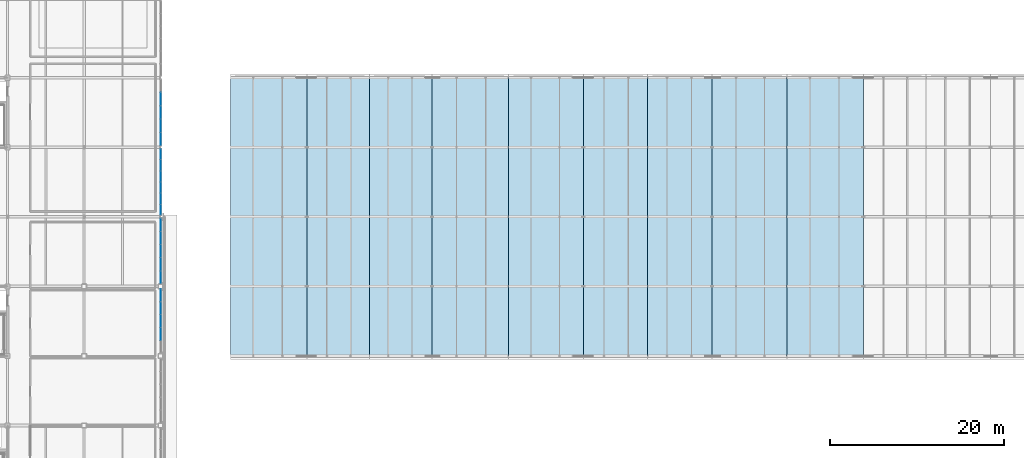
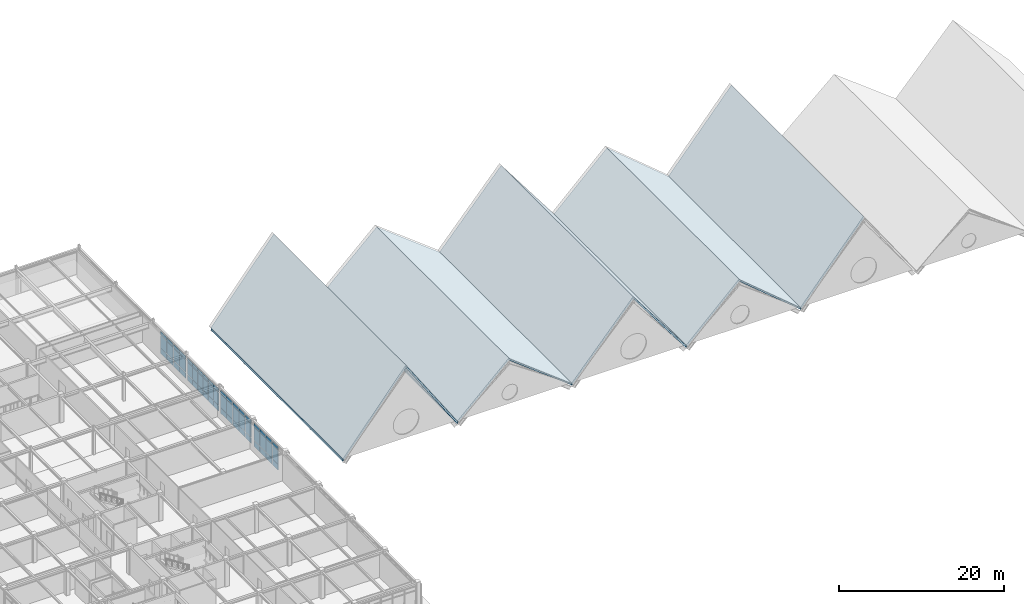
# One storey, part 30 of 64: 57 plates, 9 slabs, 4 elements without a shape of their own.
"""IFC4 building model written with IfcOpenShell, lengths in metres."""

from ifc_helpers import new_model, si_unit, direction, frame, origin, origin_2d, place, context, subcontext, project, spatial, polyline, rectangle, outline, extrude, material, layer, layer_set, type_object, element, aggregate, save


model = new_model("IFC4")

# Units and contexts
model_context = context("Model", 3, precision=1e-05, world=origin(), true_north=direction((0.0, 1.0)))
body_context = subcontext(model_context, "Body", "Model", "MODEL_VIEW")
ifc_project = project(units=[si_unit("LENGTHUNIT", "METRE"), si_unit("AREAUNIT", "SQUARE_METRE"), si_unit("VOLUMEUNIT", "CUBIC_METRE"), si_unit("PLANEANGLEUNIT", "RADIAN"), si_unit("MASSUNIT", "GRAM", prefix="KILO")], contexts=[model_context])

# Site, building, storey
site_placement = place(None, origin())
site = spatial("IfcSite", under=ifc_project, at=site_placement, CompositionType="ELEMENT")
building_placement = place(site_placement, origin())
building = spatial("IfcBuilding", under=site, at=building_placement, Name="Zhaolan Boulevard Law Courts", CompositionType="ELEMENT")
storey_placement = place(building_placement, frame((0.0, 0.0, 20.39990234375)))
storey = spatial("IfcBuildingStorey", under=building, at=storey_placement, Name="L04", CompositionType="ELEMENT", Elevation=20.39990234375)

# Curtain wall, plates
ifc_material_1 = material(Name="Thermally broken aluminium and low-E glazing", Category="aluminium")
curtain_wall_type_1 = type_object("IfcCurtainWallType", Name="CURTAIN WALL M15", PredefinedType="USERDEFINED", material=ifc_material_1)
curtain_wall_1_placement = place(storey_placement, origin())
curtain_wall_1 = element("IfcCurtainWall", 1, at=curtain_wall_1_placement, inside=storey, type_object=curtain_wall_type_1, Name="Curtain Wall CW-L04-135", ObjectType="CURTAIN WALL", PredefinedType="USERDEFINED")
ifc_material_2 = material(Name="Triple-silver low-E insulated glazing", Category="glass")
ifc_layer_1 = layer(ifc_material_2, 0.028076171875)
ifc_layer_set_1 = layer_set([ifc_layer_1])
plate_type = type_object("IfcPlateType", Name="CWPANEL LOW E28", PredefinedType="CURTAIN_PANEL", material=ifc_layer_set_1)
plate_1_placement = place(storey_placement, frame((44.0, 78.8095703125, 0.06494140625), z_axis=(0.0, 0.0, 1.0), x_axis=(0.0, 1.0, 0.0)))
plate_1 = element("IfcPlate", 2, at=plate_1_placement, type_object=plate_type, Name="CW-L04-135 panel 1.1", PredefinedType="CURTAIN_PANEL", context=body_context, shape_type="SweptSolid", body=[
    extrude(rectangle(XDim=1.18505859375, YDim=0.028076171875, at=origin_2d()), origin(), (0.0, 0.0, 1.0), 0.802490234375),
])
plate_2_placement = place(storey_placement, frame((44.0, 78.8095703125, 0.9326171875), z_axis=(0.0, 0.0, 1.0), x_axis=(0.0, 1.0, 0.0)))
plate_2 = element("IfcPlate", 3, at=plate_2_placement, type_object=plate_type, Name="CW-L04-135 panel 1.2", PredefinedType="CURTAIN_PANEL", context=body_context, shape_type="SweptSolid", body=[
    extrude(rectangle(XDim=1.18505859375, YDim=0.028076171875, at=origin_2d()), origin(), (0.0, 0.0, 1.0), 1.80810546875),
])
plate_3_placement = place(storey_placement, frame((44.0, 78.8095703125, 2.8056640625), z_axis=(0.0, 0.0, 1.0), x_axis=(0.0, 1.0, 0.0)))
plate_3 = element("IfcPlate", 4, at=plate_3_placement, type_object=plate_type, Name="CW-L04-135 panel 1.3", PredefinedType="CURTAIN_PANEL", context=body_context, shape_type="SweptSolid", body=[
    extrude(rectangle(XDim=1.18505859375, YDim=0.028076171875, at=origin_2d()), origin(), (0.0, 0.0, 1.0), 0.552490234375),
])
plate_4_placement = place(storey_placement, frame((44.0, 80.075927734375, 0.06494140625), z_axis=(0.0, 0.0, 1.0), x_axis=(0.0, 1.0, 0.0)))
plate_4 = element("IfcPlate", 5, at=plate_4_placement, type_object=plate_type, Name="CW-L04-135 panel 2.1", PredefinedType="CURTAIN_PANEL", context=body_context, shape_type="SweptSolid", body=[
    extrude(rectangle(XDim=1.2177734375, YDim=0.028076171875, at=origin_2d()), origin(), (0.0, 0.0, 1.0), 0.802490234375),
])
plate_5_placement = place(storey_placement, frame((44.0, 80.075927734375, 0.9326171875), z_axis=(0.0, 0.0, 1.0), x_axis=(0.0, 1.0, 0.0)))
plate_5 = element("IfcPlate", 6, at=plate_5_placement, type_object=plate_type, Name="CW-L04-135 panel 2.2", PredefinedType="CURTAIN_PANEL", context=body_context, shape_type="SweptSolid", body=[
    extrude(rectangle(XDim=1.2177734375, YDim=0.028076171875, at=origin_2d()), origin(), (0.0, 0.0, 1.0), 1.80810546875),
])
plate_6_placement = place(storey_placement, frame((44.0, 80.075927734375, 2.8056640625), z_axis=(0.0, 0.0, 1.0), x_axis=(0.0, 1.0, 0.0)))
plate_6 = element("IfcPlate", 7, at=plate_6_placement, type_object=plate_type, Name="CW-L04-135 panel 2.3", PredefinedType="CURTAIN_PANEL", context=body_context, shape_type="SweptSolid", body=[
    extrude(rectangle(XDim=1.2177734375, YDim=0.028076171875, at=origin_2d()), origin(), (0.0, 0.0, 1.0), 0.552490234375),
])
plate_7_placement = place(storey_placement, frame((44.0, 81.358642578125, 0.06494140625), z_axis=(0.0, 0.0, 1.0), x_axis=(0.0, 1.0, 0.0)))
plate_7 = element("IfcPlate", 8, at=plate_7_placement, type_object=plate_type, Name="CW-L04-135 panel 3.1", PredefinedType="CURTAIN_PANEL", context=body_context, shape_type="SweptSolid", body=[
    extrude(rectangle(XDim=1.2177734375, YDim=0.028076171875, at=origin_2d()), origin(), (0.0, 0.0, 1.0), 0.802490234375),
])
plate_8_placement = place(storey_placement, frame((44.0, 81.358642578125, 0.9326171875), z_axis=(0.0, 0.0, 1.0), x_axis=(0.0, 1.0, 0.0)))
plate_8 = element("IfcPlate", 9, at=plate_8_placement, type_object=plate_type, Name="CW-L04-135 panel 3.2", PredefinedType="CURTAIN_PANEL", context=body_context, shape_type="SweptSolid", body=[
    extrude(rectangle(XDim=1.2177734375, YDim=0.028076171875, at=origin_2d()), origin(), (0.0, 0.0, 1.0), 1.80810546875),
])
plate_9_placement = place(storey_placement, frame((44.0, 81.358642578125, 2.8056640625), z_axis=(0.0, 0.0, 1.0), x_axis=(0.0, 1.0, 0.0)))
plate_9 = element("IfcPlate", 10, at=plate_9_placement, type_object=plate_type, Name="CW-L04-135 panel 3.3", PredefinedType="CURTAIN_PANEL", context=body_context, shape_type="SweptSolid", body=[
    extrude(rectangle(XDim=1.2177734375, YDim=0.028076171875, at=origin_2d()), origin(), (0.0, 0.0, 1.0), 0.552490234375),
])
plate_10_placement = place(storey_placement, frame((44.0, 82.641357421875, 0.06494140625), z_axis=(0.0, 0.0, 1.0), x_axis=(0.0, 1.0, 0.0)))
plate_10 = element("IfcPlate", 11, at=plate_10_placement, type_object=plate_type, Name="CW-L04-135 panel 4.1", PredefinedType="CURTAIN_PANEL", context=body_context, shape_type="SweptSolid", body=[
    extrude(rectangle(XDim=1.2177734375, YDim=0.028076171875, at=origin_2d()), origin(), (0.0, 0.0, 1.0), 0.802490234375),
])
plate_11_placement = place(storey_placement, frame((44.0, 82.641357421875, 0.9326171875), z_axis=(0.0, 0.0, 1.0), x_axis=(0.0, 1.0, 0.0)))
plate_11 = element("IfcPlate", 12, at=plate_11_placement, type_object=plate_type, Name="CW-L04-135 panel 4.2", PredefinedType="CURTAIN_PANEL", context=body_context, shape_type="SweptSolid", body=[
    extrude(rectangle(XDim=1.2177734375, YDim=0.028076171875, at=origin_2d()), origin(), (0.0, 0.0, 1.0), 1.80810546875),
])
plate_12_placement = place(storey_placement, frame((44.0, 82.641357421875, 2.8056640625), z_axis=(0.0, 0.0, 1.0), x_axis=(0.0, 1.0, 0.0)))
plate_12 = element("IfcPlate", 13, at=plate_12_placement, type_object=plate_type, Name="CW-L04-135 panel 4.3", PredefinedType="CURTAIN_PANEL", context=body_context, shape_type="SweptSolid", body=[
    extrude(rectangle(XDim=1.2177734375, YDim=0.028076171875, at=origin_2d()), origin(), (0.0, 0.0, 1.0), 0.552490234375),
])
plate_13_placement = place(storey_placement, frame((44.0, 83.924072265625, 0.06494140625), z_axis=(0.0, 0.0, 1.0), x_axis=(0.0, 1.0, 0.0)))
plate_13 = element("IfcPlate", 14, at=plate_13_placement, type_object=plate_type, Name="CW-L04-135 panel 5.1", PredefinedType="CURTAIN_PANEL", context=body_context, shape_type="SweptSolid", body=[
    extrude(rectangle(XDim=1.2177734375, YDim=0.028076171875, at=origin_2d()), origin(), (0.0, 0.0, 1.0), 0.802490234375),
])
plate_14_placement = place(storey_placement, frame((44.0, 83.924072265625, 0.9326171875), z_axis=(0.0, 0.0, 1.0), x_axis=(0.0, 1.0, 0.0)))
plate_14 = element("IfcPlate", 15, at=plate_14_placement, type_object=plate_type, Name="CW-L04-135 panel 5.2", PredefinedType="CURTAIN_PANEL", context=body_context, shape_type="SweptSolid", body=[
    extrude(rectangle(XDim=1.2177734375, YDim=0.028076171875, at=origin_2d()), origin(), (0.0, 0.0, 1.0), 1.80810546875),
])
plate_15_placement = place(storey_placement, frame((44.0, 83.924072265625, 2.8056640625), z_axis=(0.0, 0.0, 1.0), x_axis=(0.0, 1.0, 0.0)))
plate_15 = element("IfcPlate", 16, at=plate_15_placement, type_object=plate_type, Name="CW-L04-135 panel 5.3", PredefinedType="CURTAIN_PANEL", context=body_context, shape_type="SweptSolid", body=[
    extrude(rectangle(XDim=1.2177734375, YDim=0.028076171875, at=origin_2d()), origin(), (0.0, 0.0, 1.0), 0.552490234375),
])
plate_16_placement = place(storey_placement, frame((44.0, 85.1904296875, 0.06494140625), z_axis=(0.0, 0.0, 1.0), x_axis=(0.0, 1.0, 0.0)))
plate_16 = element("IfcPlate", 17, at=plate_16_placement, type_object=plate_type, Name="CW-L04-135 panel 6.1", PredefinedType="CURTAIN_PANEL", context=body_context, shape_type="SweptSolid", body=[
    extrude(rectangle(XDim=1.18505859375, YDim=0.028076171875, at=origin_2d()), origin(), (0.0, 0.0, 1.0), 0.802490234375),
])
plate_17_placement = place(storey_placement, frame((44.0, 85.1904296875, 0.9326171875), z_axis=(0.0, 0.0, 1.0), x_axis=(0.0, 1.0, 0.0)))
plate_17 = element("IfcPlate", 18, at=plate_17_placement, type_object=plate_type, Name="CW-L04-135 panel 6.2", PredefinedType="CURTAIN_PANEL", context=body_context, shape_type="SweptSolid", body=[
    extrude(rectangle(XDim=1.18505859375, YDim=0.028076171875, at=origin_2d()), origin(), (0.0, 0.0, 1.0), 1.80810546875),
])
plate_18_placement = place(storey_placement, frame((44.0, 85.1904296875, 2.8056640625), z_axis=(0.0, 0.0, 1.0), x_axis=(0.0, 1.0, 0.0)))
plate_18 = element("IfcPlate", 19, at=plate_18_placement, type_object=plate_type, Name="CW-L04-135 panel 6.3", PredefinedType="CURTAIN_PANEL", context=body_context, shape_type="SweptSolid", body=[
    extrude(rectangle(XDim=1.18505859375, YDim=0.028076171875, at=origin_2d()), origin(), (0.0, 0.0, 1.0), 0.552490234375),
])
aggregate(curtain_wall_1, [plate_1, plate_2, plate_3, plate_4, plate_5, plate_6, plate_7, plate_8, plate_9, plate_10, plate_11, plate_12, plate_13, plate_14, plate_15, plate_16, plate_17, plate_18])

ifc_material_3 = material(Name="Thermally broken aluminium and low-E glazing", Category="aluminium")
curtain_wall_type_2 = type_object("IfcCurtainWallType", Name="CURTAIN WALL M16", PredefinedType="USERDEFINED", material=ifc_material_3)
curtain_wall_2_placement = place(storey_placement, origin())
curtain_wall_2 = element("IfcCurtainWall", 20, at=curtain_wall_2_placement, inside=storey, type_object=curtain_wall_type_2, Name="Curtain Wall CW-L04-136", ObjectType="CURTAIN WALL", PredefinedType="USERDEFINED")
plate_19_placement = place(storey_placement, frame((44.0, 86.937744140625, 0.06494140625), z_axis=(0.0, 0.0, 1.0), x_axis=(0.0, 1.0, 0.0)))
plate_19 = element("IfcPlate", 21, at=plate_19_placement, type_object=plate_type, Name="CW-L04-136 panel 1.1", PredefinedType="CURTAIN_PANEL", context=body_context, shape_type="SweptSolid", body=[
    extrude(rectangle(XDim=1.441650390625, YDim=0.028076171875, at=origin_2d()), origin(), (0.0, 0.0, 1.0), 0.802490234375),
])
plate_20_placement = place(storey_placement, frame((44.0, 86.937744140625, 0.9326171875), z_axis=(0.0, 0.0, 1.0), x_axis=(0.0, 1.0, 0.0)))
plate_20 = element("IfcPlate", 22, at=plate_20_placement, type_object=plate_type, Name="CW-L04-136 panel 1.2", PredefinedType="CURTAIN_PANEL", context=body_context, shape_type="SweptSolid", body=[
    extrude(rectangle(XDim=1.441650390625, YDim=0.028076171875, at=origin_2d()), origin(), (0.0, 0.0, 1.0), 1.80810546875),
])
plate_21_placement = place(storey_placement, frame((44.0, 86.937744140625, 2.8056640625), z_axis=(0.0, 0.0, 1.0), x_axis=(0.0, 1.0, 0.0)))
plate_21 = element("IfcPlate", 23, at=plate_21_placement, type_object=plate_type, Name="CW-L04-136 panel 1.3", PredefinedType="CURTAIN_PANEL", context=body_context, shape_type="SweptSolid", body=[
    extrude(rectangle(XDim=1.441650390625, YDim=0.028076171875, at=origin_2d()), origin(), (0.0, 0.0, 1.0), 0.552490234375),
])
plate_22_placement = place(storey_placement, frame((44.0, 88.460693359375, 0.06494140625), z_axis=(0.0, 0.0, 1.0), x_axis=(0.0, 1.0, 0.0)))
plate_22 = element("IfcPlate", 24, at=plate_22_placement, type_object=plate_type, Name="CW-L04-136 panel 2.1", PredefinedType="CURTAIN_PANEL", context=body_context, shape_type="SweptSolid", body=[
    extrude(rectangle(XDim=1.47412109375, YDim=0.028076171875, at=origin_2d()), origin(), (0.0, 0.0, 1.0), 0.802490234375),
])
plate_23_placement = place(storey_placement, frame((44.0, 88.460693359375, 0.9326171875), z_axis=(0.0, 0.0, 1.0), x_axis=(0.0, 1.0, 0.0)))
plate_23 = element("IfcPlate", 25, at=plate_23_placement, type_object=plate_type, Name="CW-L04-136 panel 2.2", PredefinedType="CURTAIN_PANEL", context=body_context, shape_type="SweptSolid", body=[
    extrude(rectangle(XDim=1.47412109375, YDim=0.028076171875, at=origin_2d()), origin(), (0.0, 0.0, 1.0), 1.80810546875),
])
plate_24_placement = place(storey_placement, frame((44.0, 88.460693359375, 2.8056640625), z_axis=(0.0, 0.0, 1.0), x_axis=(0.0, 1.0, 0.0)))
plate_24 = element("IfcPlate", 26, at=plate_24_placement, type_object=plate_type, Name="CW-L04-136 panel 2.3", PredefinedType="CURTAIN_PANEL", context=body_context, shape_type="SweptSolid", body=[
    extrude(rectangle(XDim=1.47412109375, YDim=0.028076171875, at=origin_2d()), origin(), (0.0, 0.0, 1.0), 0.552490234375),
])
plate_25_placement = place(storey_placement, frame((44.0, 90.0, 0.06494140625), z_axis=(0.0, 0.0, 1.0), x_axis=(0.0, 1.0, 0.0)))
plate_25 = element("IfcPlate", 27, at=plate_25_placement, type_object=plate_type, Name="CW-L04-136 panel 3.1", PredefinedType="CURTAIN_PANEL", context=body_context, shape_type="SweptSolid", body=[
    extrude(rectangle(XDim=1.47412109375, YDim=0.028076171875, at=origin_2d()), origin(), (0.0, 0.0, 1.0), 0.802490234375),
])
plate_26_placement = place(storey_placement, frame((44.0, 90.0, 0.9326171875), z_axis=(0.0, 0.0, 1.0), x_axis=(0.0, 1.0, 0.0)))
plate_26 = element("IfcPlate", 28, at=plate_26_placement, type_object=plate_type, Name="CW-L04-136 panel 3.2", PredefinedType="CURTAIN_PANEL", context=body_context, shape_type="SweptSolid", body=[
    extrude(rectangle(XDim=1.47412109375, YDim=0.028076171875, at=origin_2d()), origin(), (0.0, 0.0, 1.0), 1.80810546875),
])
plate_27_placement = place(storey_placement, frame((44.0, 90.0, 2.8056640625), z_axis=(0.0, 0.0, 1.0), x_axis=(0.0, 1.0, 0.0)))
plate_27 = element("IfcPlate", 29, at=plate_27_placement, type_object=plate_type, Name="CW-L04-136 panel 3.3", PredefinedType="CURTAIN_PANEL", context=body_context, shape_type="SweptSolid", body=[
    extrude(rectangle(XDim=1.47412109375, YDim=0.028076171875, at=origin_2d()), origin(), (0.0, 0.0, 1.0), 0.552490234375),
])
plate_28_placement = place(storey_placement, frame((44.0, 91.539306640625, 0.06494140625), z_axis=(0.0, 0.0, 1.0), x_axis=(0.0, 1.0, 0.0)))
plate_28 = element("IfcPlate", 30, at=plate_28_placement, type_object=plate_type, Name="CW-L04-136 panel 4.1", PredefinedType="CURTAIN_PANEL", context=body_context, shape_type="SweptSolid", body=[
    extrude(rectangle(XDim=1.47412109375, YDim=0.028076171875, at=origin_2d()), origin(), (0.0, 0.0, 1.0), 0.802490234375),
])
plate_29_placement = place(storey_placement, frame((44.0, 91.539306640625, 0.9326171875), z_axis=(0.0, 0.0, 1.0), x_axis=(0.0, 1.0, 0.0)))
plate_29 = element("IfcPlate", 31, at=plate_29_placement, type_object=plate_type, Name="CW-L04-136 panel 4.2", PredefinedType="CURTAIN_PANEL", context=body_context, shape_type="SweptSolid", body=[
    extrude(rectangle(XDim=1.47412109375, YDim=0.028076171875, at=origin_2d()), origin(), (0.0, 0.0, 1.0), 1.80810546875),
])
plate_30_placement = place(storey_placement, frame((44.0, 91.539306640625, 2.8056640625), z_axis=(0.0, 0.0, 1.0), x_axis=(0.0, 1.0, 0.0)))
plate_30 = element("IfcPlate", 32, at=plate_30_placement, type_object=plate_type, Name="CW-L04-136 panel 4.3", PredefinedType="CURTAIN_PANEL", context=body_context, shape_type="SweptSolid", body=[
    extrude(rectangle(XDim=1.47412109375, YDim=0.028076171875, at=origin_2d()), origin(), (0.0, 0.0, 1.0), 0.552490234375),
])
aggregate(curtain_wall_2, [plate_19, plate_20, plate_21, plate_22, plate_23, plate_24, plate_25, plate_26, plate_27, plate_28, plate_29, plate_30])

ifc_material_4 = material(Name="Thermally broken aluminium and low-E glazing", Category="aluminium")
curtain_wall_type_3 = type_object("IfcCurtainWallType", Name="CURTAIN WALL M8", PredefinedType="USERDEFINED", material=ifc_material_4)
curtain_wall_3_placement = place(storey_placement, origin())
curtain_wall_3 = element("IfcCurtainWall", 33, at=curtain_wall_3_placement, inside=storey, type_object=curtain_wall_type_3, Name="Curtain Wall CW-L04-200", ObjectType="CURTAIN WALL", PredefinedType="USERDEFINED")
plate_31_placement = place(storey_placement, frame((44.0, 64.5107421875, 0.06494140625), z_axis=(0.0, 0.0, 1.0), x_axis=(0.0, 1.0, 0.0)))
plate_31 = element("IfcPlate", 34, at=plate_31_placement, type_object=plate_type, Name="CW-L04-200 panel 2.1", PredefinedType="CURTAIN_PANEL", context=body_context, shape_type="SweptSolid", body=[
    extrude(rectangle(XDim=1.42431640625, YDim=0.028076171875, at=origin_2d()), origin(), (0.0, 0.0, 1.0), 0.802490234375),
])
plate_32_placement = place(storey_placement, frame((44.0, 64.5107421875, 0.9326171875), z_axis=(0.0, 0.0, 1.0), x_axis=(0.0, 1.0, 0.0)))
plate_32 = element("IfcPlate", 35, at=plate_32_placement, type_object=plate_type, Name="CW-L04-200 panel 2.2", PredefinedType="CURTAIN_PANEL", context=body_context, shape_type="SweptSolid", body=[
    extrude(rectangle(XDim=1.42431640625, YDim=0.028076171875, at=origin_2d()), origin(), (0.0, 0.0, 1.0), 1.97802734375),
])
plate_33_placement = place(storey_placement, frame((44.0, 64.5107421875, 2.9755859375), z_axis=(0.0, 0.0, 1.0), x_axis=(0.0, 1.0, 0.0)))
plate_33 = element("IfcPlate", 36, at=plate_33_placement, type_object=plate_type, Name="CW-L04-200 panel 2.3", PredefinedType="CURTAIN_PANEL", context=body_context, shape_type="SweptSolid", body=[
    extrude(rectangle(XDim=1.42431640625, YDim=0.028076171875, at=origin_2d()), origin(), (0.0, 0.0, 1.0), 0.552490234375),
])
plate_34_placement = place(storey_placement, frame((44.0, 66.0, 0.06494140625), z_axis=(0.0, 0.0, 1.0), x_axis=(0.0, 1.0, 0.0)))
plate_34 = element("IfcPlate", 37, at=plate_34_placement, type_object=plate_type, Name="CW-L04-200 panel 3.1", PredefinedType="CURTAIN_PANEL", context=body_context, shape_type="SweptSolid", body=[
    extrude(rectangle(XDim=1.42431640625, YDim=0.028076171875, at=origin_2d()), origin(), (0.0, 0.0, 1.0), 0.802490234375),
])
plate_35_placement = place(storey_placement, frame((44.0, 66.0, 0.9326171875), z_axis=(0.0, 0.0, 1.0), x_axis=(0.0, 1.0, 0.0)))
plate_35 = element("IfcPlate", 38, at=plate_35_placement, type_object=plate_type, Name="CW-L04-200 panel 3.2", PredefinedType="CURTAIN_PANEL", context=body_context, shape_type="SweptSolid", body=[
    extrude(rectangle(XDim=1.42431640625, YDim=0.028076171875, at=origin_2d()), origin(), (0.0, 0.0, 1.0), 1.97802734375),
])
plate_36_placement = place(storey_placement, frame((44.0, 66.0, 2.9755859375), z_axis=(0.0, 0.0, 1.0), x_axis=(0.0, 1.0, 0.0)))
plate_36 = element("IfcPlate", 39, at=plate_36_placement, type_object=plate_type, Name="CW-L04-200 panel 3.3", PredefinedType="CURTAIN_PANEL", context=body_context, shape_type="SweptSolid", body=[
    extrude(rectangle(XDim=1.42431640625, YDim=0.028076171875, at=origin_2d()), origin(), (0.0, 0.0, 1.0), 0.552490234375),
])
plate_37_placement = place(storey_placement, frame((44.0, 67.4892578125, 0.06494140625), z_axis=(0.0, 0.0, 1.0), x_axis=(0.0, 1.0, 0.0)))
plate_37 = element("IfcPlate", 40, at=plate_37_placement, type_object=plate_type, Name="CW-L04-200 panel 4.1", PredefinedType="CURTAIN_PANEL", context=body_context, shape_type="SweptSolid", body=[
    extrude(rectangle(XDim=1.42431640625, YDim=0.028076171875, at=origin_2d()), origin(), (0.0, 0.0, 1.0), 0.802490234375),
])
plate_38_placement = place(storey_placement, frame((44.0, 67.4892578125, 0.9326171875), z_axis=(0.0, 0.0, 1.0), x_axis=(0.0, 1.0, 0.0)))
plate_38 = element("IfcPlate", 41, at=plate_38_placement, type_object=plate_type, Name="CW-L04-200 panel 4.2", PredefinedType="CURTAIN_PANEL", context=body_context, shape_type="SweptSolid", body=[
    extrude(rectangle(XDim=1.42431640625, YDim=0.028076171875, at=origin_2d()), origin(), (0.0, 0.0, 1.0), 1.97802734375),
])
plate_39_placement = place(storey_placement, frame((44.0, 67.4892578125, 2.9755859375), z_axis=(0.0, 0.0, 1.0), x_axis=(0.0, 1.0, 0.0)))
plate_39 = element("IfcPlate", 42, at=plate_39_placement, type_object=plate_type, Name="CW-L04-200 panel 4.3", PredefinedType="CURTAIN_PANEL", context=body_context, shape_type="SweptSolid", body=[
    extrude(rectangle(XDim=1.42431640625, YDim=0.028076171875, at=origin_2d()), origin(), (0.0, 0.0, 1.0), 0.552490234375),
])
plate_40_placement = place(storey_placement, frame((44.0, 68.962158203125, 0.06494140625), z_axis=(0.0, 0.0, 1.0), x_axis=(0.0, 1.0, 0.0)))
plate_40 = element("IfcPlate", 43, at=plate_40_placement, type_object=plate_type, Name="CW-L04-200 panel 5.1", PredefinedType="CURTAIN_PANEL", context=body_context, shape_type="SweptSolid", body=[
    extrude(rectangle(XDim=1.3916015625, YDim=0.028076171875, at=origin_2d()), origin(), (0.0, 0.0, 1.0), 0.802490234375),
])
plate_41_placement = place(storey_placement, frame((44.0, 68.962158203125, 0.9326171875), z_axis=(0.0, 0.0, 1.0), x_axis=(0.0, 1.0, 0.0)))
plate_41 = element("IfcPlate", 44, at=plate_41_placement, type_object=plate_type, Name="CW-L04-200 panel 5.2", PredefinedType="CURTAIN_PANEL", context=body_context, shape_type="SweptSolid", body=[
    extrude(rectangle(XDim=1.3916015625, YDim=0.028076171875, at=origin_2d()), origin(), (0.0, 0.0, 1.0), 1.97802734375),
])
plate_42_placement = place(storey_placement, frame((44.0, 68.962158203125, 2.9755859375), z_axis=(0.0, 0.0, 1.0), x_axis=(0.0, 1.0, 0.0)))
plate_42 = element("IfcPlate", 45, at=plate_42_placement, type_object=plate_type, Name="CW-L04-200 panel 5.3", PredefinedType="CURTAIN_PANEL", context=body_context, shape_type="SweptSolid", body=[
    extrude(rectangle(XDim=1.3916015625, YDim=0.028076171875, at=origin_2d()), origin(), (0.0, 0.0, 1.0), 0.552490234375),
])
aggregate(curtain_wall_3, [plate_31, plate_32, plate_33, plate_34, plate_35, plate_36, plate_37, plate_38, plate_39, plate_40, plate_41, plate_42])

ifc_material_5 = material(Name="Thermally broken aluminium and low-E glazing", Category="aluminium")
curtain_wall_type_4 = type_object("IfcCurtainWallType", Name="CURTAIN WALL M9", PredefinedType="USERDEFINED", material=ifc_material_5)
curtain_wall_4_placement = place(storey_placement, origin())
curtain_wall_4 = element("IfcCurtainWall", 46, at=curtain_wall_4_placement, inside=storey, type_object=curtain_wall_type_4, Name="Curtain Wall CW-L04-201", ObjectType="CURTAIN WALL", PredefinedType="USERDEFINED")
plate_43_placement = place(storey_placement, frame((44.0, 71.05029296875, 0.06494140625), z_axis=(0.0, 0.0, 1.0), x_axis=(0.0, 1.0, 0.0)))
plate_43 = element("IfcPlate", 47, at=plate_43_placement, type_object=plate_type, Name="CW-L04-201 panel 1.1", PredefinedType="CURTAIN_PANEL", context=body_context, shape_type="SweptSolid", body=[
    extrude(rectangle(XDim=1.416748046875, YDim=0.028076171875, at=origin_2d()), origin(), (0.0, 0.0, 1.0), 0.802490234375),
])
plate_44_placement = place(storey_placement, frame((44.0, 71.05029296875, 0.9326171875), z_axis=(0.0, 0.0, 1.0), x_axis=(0.0, 1.0, 0.0)))
plate_44 = element("IfcPlate", 48, at=plate_44_placement, type_object=plate_type, Name="CW-L04-201 panel 1.2", PredefinedType="CURTAIN_PANEL", context=body_context, shape_type="SweptSolid", body=[
    extrude(rectangle(XDim=1.416748046875, YDim=0.028076171875, at=origin_2d()), origin(), (0.0, 0.0, 1.0), 1.97802734375),
])
plate_45_placement = place(storey_placement, frame((44.0, 71.05029296875, 2.9755859375), z_axis=(0.0, 0.0, 1.0), x_axis=(0.0, 1.0, 0.0)))
plate_45 = element("IfcPlate", 49, at=plate_45_placement, type_object=plate_type, Name="CW-L04-201 panel 1.3", PredefinedType="CURTAIN_PANEL", context=body_context, shape_type="SweptSolid", body=[
    extrude(rectangle(XDim=1.416748046875, YDim=0.028076171875, at=origin_2d()), origin(), (0.0, 0.0, 1.0), 0.552490234375),
])
plate_46_placement = place(storey_placement, frame((44.0, 72.54833984375, 0.06494140625), z_axis=(0.0, 0.0, 1.0), x_axis=(0.0, 1.0, 0.0)))
plate_46 = element("IfcPlate", 50, at=plate_46_placement, type_object=plate_type, Name="CW-L04-201 panel 2.1", PredefinedType="CURTAIN_PANEL", context=body_context, shape_type="SweptSolid", body=[
    extrude(rectangle(XDim=1.44921875, YDim=0.028076171875, at=origin_2d()), origin(), (0.0, 0.0, 1.0), 0.802490234375),
])
plate_47_placement = place(storey_placement, frame((44.0, 72.54833984375, 0.9326171875), z_axis=(0.0, 0.0, 1.0), x_axis=(0.0, 1.0, 0.0)))
plate_47 = element("IfcPlate", 51, at=plate_47_placement, type_object=plate_type, Name="CW-L04-201 panel 2.2", PredefinedType="CURTAIN_PANEL", context=body_context, shape_type="SweptSolid", body=[
    extrude(rectangle(XDim=1.44921875, YDim=0.028076171875, at=origin_2d()), origin(), (0.0, 0.0, 1.0), 1.97802734375),
])
plate_48_placement = place(storey_placement, frame((44.0, 72.54833984375, 2.9755859375), z_axis=(0.0, 0.0, 1.0), x_axis=(0.0, 1.0, 0.0)))
plate_48 = element("IfcPlate", 52, at=plate_48_placement, type_object=plate_type, Name="CW-L04-201 panel 2.3", PredefinedType="CURTAIN_PANEL", context=body_context, shape_type="SweptSolid", body=[
    extrude(rectangle(XDim=1.44921875, YDim=0.028076171875, at=origin_2d()), origin(), (0.0, 0.0, 1.0), 0.552490234375),
])
plate_49_placement = place(storey_placement, frame((44.0, 74.0625, 0.06494140625), z_axis=(0.0, 0.0, 1.0), x_axis=(0.0, 1.0, 0.0)))
plate_49 = element("IfcPlate", 53, at=plate_49_placement, type_object=plate_type, Name="CW-L04-201 panel 3.1", PredefinedType="CURTAIN_PANEL", context=body_context, shape_type="SweptSolid", body=[
    extrude(rectangle(XDim=1.44921875, YDim=0.028076171875, at=origin_2d()), origin(), (0.0, 0.0, 1.0), 0.802490234375),
])
plate_50_placement = place(storey_placement, frame((44.0, 74.0625, 0.9326171875), z_axis=(0.0, 0.0, 1.0), x_axis=(0.0, 1.0, 0.0)))
plate_50 = element("IfcPlate", 54, at=plate_50_placement, type_object=plate_type, Name="CW-L04-201 panel 3.2", PredefinedType="CURTAIN_PANEL", context=body_context, shape_type="SweptSolid", body=[
    extrude(rectangle(XDim=1.44921875, YDim=0.028076171875, at=origin_2d()), origin(), (0.0, 0.0, 1.0), 1.97802734375),
])
plate_51_placement = place(storey_placement, frame((44.0, 74.0625, 2.9755859375), z_axis=(0.0, 0.0, 1.0), x_axis=(0.0, 1.0, 0.0)))
plate_51 = element("IfcPlate", 55, at=plate_51_placement, type_object=plate_type, Name="CW-L04-201 panel 3.3", PredefinedType="CURTAIN_PANEL", context=body_context, shape_type="SweptSolid", body=[
    extrude(rectangle(XDim=1.44921875, YDim=0.028076171875, at=origin_2d()), origin(), (0.0, 0.0, 1.0), 0.552490234375),
])
plate_52_placement = place(storey_placement, frame((44.0, 75.57666015625, 0.06494140625), z_axis=(0.0, 0.0, 1.0), x_axis=(0.0, 1.0, 0.0)))
plate_52 = element("IfcPlate", 56, at=plate_52_placement, type_object=plate_type, Name="CW-L04-201 panel 4.1", PredefinedType="CURTAIN_PANEL", context=body_context, shape_type="SweptSolid", body=[
    extrude(rectangle(XDim=1.44921875, YDim=0.028076171875, at=origin_2d()), origin(), (0.0, 0.0, 1.0), 0.802490234375),
])
plate_53_placement = place(storey_placement, frame((44.0, 75.57666015625, 0.9326171875), z_axis=(0.0, 0.0, 1.0), x_axis=(0.0, 1.0, 0.0)))
plate_53 = element("IfcPlate", 57, at=plate_53_placement, type_object=plate_type, Name="CW-L04-201 panel 4.2", PredefinedType="CURTAIN_PANEL", context=body_context, shape_type="SweptSolid", body=[
    extrude(rectangle(XDim=1.44921875, YDim=0.028076171875, at=origin_2d()), origin(), (0.0, 0.0, 1.0), 1.97802734375),
])
plate_54_placement = place(storey_placement, frame((44.0, 75.57666015625, 2.9755859375), z_axis=(0.0, 0.0, 1.0), x_axis=(0.0, 1.0, 0.0)))
plate_54 = element("IfcPlate", 58, at=plate_54_placement, type_object=plate_type, Name="CW-L04-201 panel 4.3", PredefinedType="CURTAIN_PANEL", context=body_context, shape_type="SweptSolid", body=[
    extrude(rectangle(XDim=1.44921875, YDim=0.028076171875, at=origin_2d()), origin(), (0.0, 0.0, 1.0), 0.552490234375),
])
plate_55_placement = place(storey_placement, frame((44.0, 77.07470703125, 0.06494140625), z_axis=(0.0, 0.0, 1.0), x_axis=(0.0, 1.0, 0.0)))
plate_55 = element("IfcPlate", 59, at=plate_55_placement, type_object=plate_type, Name="CW-L04-201 panel 5.1", PredefinedType="CURTAIN_PANEL", context=body_context, shape_type="SweptSolid", body=[
    extrude(rectangle(XDim=1.416748046875, YDim=0.028076171875, at=origin_2d()), origin(), (0.0, 0.0, 1.0), 0.802490234375),
])
plate_56_placement = place(storey_placement, frame((44.0, 77.07470703125, 0.9326171875), z_axis=(0.0, 0.0, 1.0), x_axis=(0.0, 1.0, 0.0)))
plate_56 = element("IfcPlate", 60, at=plate_56_placement, type_object=plate_type, Name="CW-L04-201 panel 5.2", PredefinedType="CURTAIN_PANEL", context=body_context, shape_type="SweptSolid", body=[
    extrude(rectangle(XDim=1.416748046875, YDim=0.028076171875, at=origin_2d()), origin(), (0.0, 0.0, 1.0), 1.97802734375),
])
plate_57_placement = place(storey_placement, frame((44.0, 77.07470703125, 2.9755859375), z_axis=(0.0, 0.0, 1.0), x_axis=(0.0, 1.0, 0.0)))
plate_57 = element("IfcPlate", 61, at=plate_57_placement, type_object=plate_type, Name="CW-L04-201 panel 5.3", PredefinedType="CURTAIN_PANEL", context=body_context, shape_type="SweptSolid", body=[
    extrude(rectangle(XDim=1.416748046875, YDim=0.028076171875, at=origin_2d()), origin(), (0.0, 0.0, 1.0), 0.552490234375),
])
aggregate(curtain_wall_4, [plate_43, plate_44, plate_45, plate_46, plate_47, plate_48, plate_49, plate_50, plate_51, plate_52, plate_53, plate_54, plate_55, plate_56, plate_57])

# Slabs
ifc_material_6 = material(Name="Concrete C40", Category="concrete")
ifc_layer_2 = layer(ifc_material_6, 0.219970703125)
ifc_layer_set_2 = layer_set([ifc_layer_2])
slab_type = type_object("IfcSlabType", Name="GABLE ROOF SLAB 220", PredefinedType="ROOF", material=ifc_layer_set_2)
slab_1_placement = place(storey_placement, frame((52.0, 94.0, 0.0), z_axis=(0.0, -1.0, 0.0), x_axis=(1.0, 0.0, 0.0)))
element("IfcSlab", 62, at=slab_1_placement, inside=storey, type_object=slab_type, Name="Trial Courtroom Gable Roof GB-T1 West Pitch", PredefinedType="ROOF", context=body_context, shape_type="SweptSolid", body=[
    extrude(outline(polyline([(0.0, 0.0), (8.800048828125, 10.800048828125), (8.800048828125, 10.45166015625), (0.0, -0.348388671875), (0.0, 0.0)])), origin(), (0.0, 0.0, 1.0), 32.0),
])
slab_2_placement = place(storey_placement, frame((60.800048828125, 94.0, 0.0), z_axis=(0.0, -1.0, 0.0), x_axis=(1.0, 0.0, 0.0)))
element("IfcSlab", 63, at=slab_2_placement, inside=storey, type_object=slab_type, Name="Trial Courtroom Gable Roof GB-T1 East Pitch", PredefinedType="ROOF", context=body_context, shape_type="SweptSolid", body=[
    extrude(outline(polyline([(0.0, 10.800048828125), (7.199951171875, 0.0), (7.199951171875, -0.396728515625), (0.0, 10.4033203125), (0.0, 10.800048828125)])), origin(), (0.0, 0.0, 1.0), 32.0),
])
slab_3_placement = place(storey_placement, frame((68.0, 94.0, 0.0), z_axis=(0.0, -1.0, 0.0), x_axis=(1.0, 0.0, 0.0)))
element("IfcSlab", 64, at=slab_3_placement, inside=storey, type_object=slab_type, Name="Trial Courtroom Gable Roof GB-T2 West Pitch", PredefinedType="ROOF", context=body_context, shape_type="SweptSolid", body=[
    extrude(outline(polyline([(0.0, 0.0), (7.199951171875, 6.800048828125), (7.199951171875, 6.497314453125), (0.0, -0.302490234375), (0.0, 0.0)])), origin(), (0.0, 0.0, 1.0), 32.0),
])
slab_4_placement = place(storey_placement, frame((75.199951171875, 94.0, 0.0), z_axis=(0.0, -1.0, 0.0), x_axis=(1.0, 0.0, 0.0)))
element("IfcSlab", 65, at=slab_4_placement, inside=storey, type_object=slab_type, Name="Trial Courtroom Gable Roof GB-T2 East Pitch", PredefinedType="ROOF", context=body_context, shape_type="SweptSolid", body=[
    extrude(outline(polyline([(0.0, 6.800048828125), (8.800048828125, 0.0), (8.800048828125, -0.278076171875), (0.0, 6.52197265625), (0.0, 6.800048828125)])), origin(), (0.0, 0.0, 1.0), 32.0),
])
slab_5_placement = place(storey_placement, frame((84.0, 94.0, 0.0), z_axis=(0.0, -1.0, 0.0), x_axis=(1.0, 0.0, 0.0)))
element("IfcSlab", 66, at=slab_5_placement, inside=storey, type_object=slab_type, Name="Trial Courtroom Gable Roof GB-T3 West Pitch", PredefinedType="ROOF", context=body_context, shape_type="SweptSolid", body=[
    extrude(outline(polyline([(0.0, 0.0), (8.60009765625, 9.800048828125), (8.60009765625, 9.466552734375), (0.0, -0.33349609375), (0.0, 0.0)])), origin(), (0.0, 0.0, 1.0), 32.0),
])
slab_6_placement = place(storey_placement, frame((92.60009765625, 94.0, 0.0), z_axis=(0.0, -1.0, 0.0), x_axis=(1.0, 0.0, 0.0)))
element("IfcSlab", 67, at=slab_6_placement, inside=storey, type_object=slab_type, Name="Trial Courtroom Gable Roof GB-T3 East Pitch", PredefinedType="ROOF", context=body_context, shape_type="SweptSolid", body=[
    extrude(outline(polyline([(0.0, 9.800048828125), (7.39990234375, 0.0), (7.39990234375, -0.364990234375), (0.0, 9.434814453125), (0.0, 9.800048828125)])), origin(), (0.0, 0.0, 1.0), 32.0),
])
slab_7_placement = place(storey_placement, frame((100.0, 94.0, 0.0), z_axis=(0.0, -1.0, 0.0), x_axis=(1.0, 0.0, 0.0)))
element("IfcSlab", 68, at=slab_7_placement, inside=storey, type_object=slab_type, Name="Trial Courtroom Gable Roof GB-T4 West Pitch", PredefinedType="ROOF", context=body_context, shape_type="SweptSolid", body=[
    extrude(outline(polyline([(0.0, 0.0), (7.39990234375, 7.199951171875), (7.39990234375, 6.89306640625), (0.0, -0.306884765625), (0.0, 0.0)])), origin(), (0.0, 0.0, 1.0), 32.0),
])
slab_8_placement = place(storey_placement, frame((107.39990234375, 94.0, 0.0), z_axis=(0.0, -1.0, 0.0), x_axis=(1.0, 0.0, 0.0)))
element("IfcSlab", 69, at=slab_8_placement, inside=storey, type_object=slab_type, Name="Trial Courtroom Gable Roof GB-T4 East Pitch", PredefinedType="ROOF", context=body_context, shape_type="SweptSolid", body=[
    extrude(outline(polyline([(0.0, 7.199951171875), (8.60009765625, 0.0), (8.60009765625, -0.286865234375), (0.0, 6.9130859375), (0.0, 7.199951171875)])), origin(), (0.0, 0.0, 1.0), 32.0),
])
slab_9_placement = place(storey_placement, frame((116.0, 94.0, 0.0), z_axis=(0.0, -1.0, 0.0), x_axis=(1.0, 0.0, 0.0)))
element("IfcSlab", 70, at=slab_9_placement, inside=storey, type_object=slab_type, Name="Trial Courtroom Gable Roof GB-T5 West Pitch", PredefinedType="ROOF", context=body_context, shape_type="SweptSolid", body=[
    extrude(outline(polyline([(0.0, 0.0), (8.800048828125, 10.39990234375), (8.800048828125, 10.059326171875), (0.0, -0.340576171875), (0.0, 0.0)])), origin(), (0.0, 0.0, 1.0), 32.0),
])

save(model, "model.ifc")
